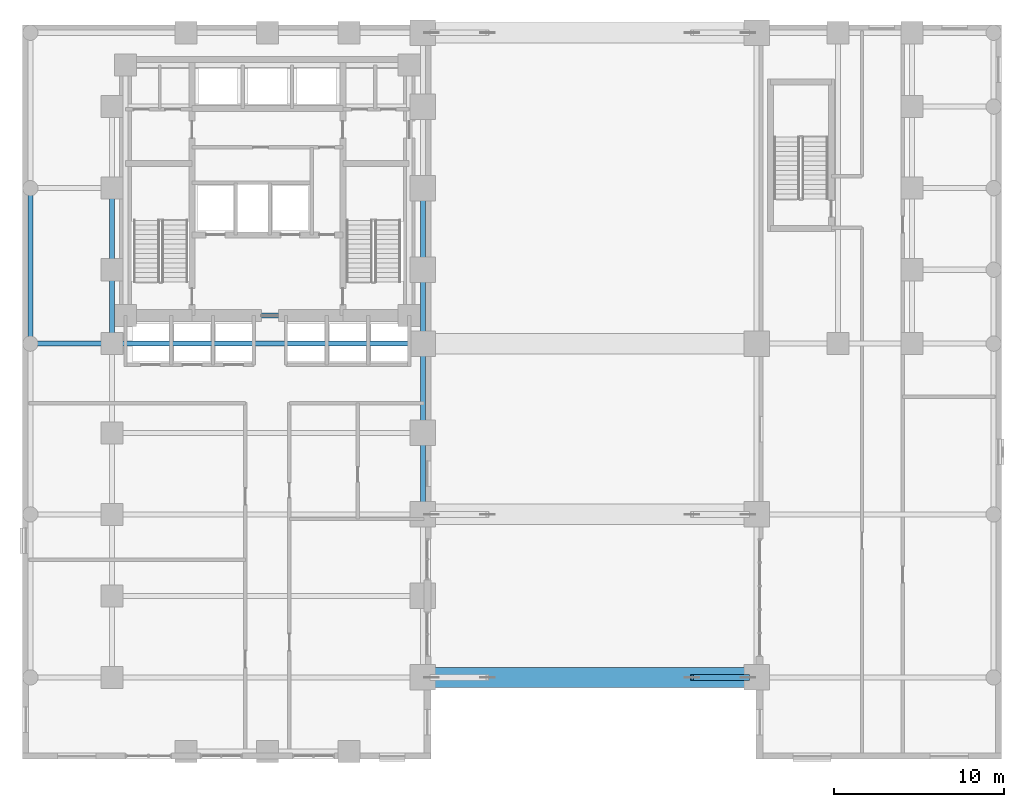
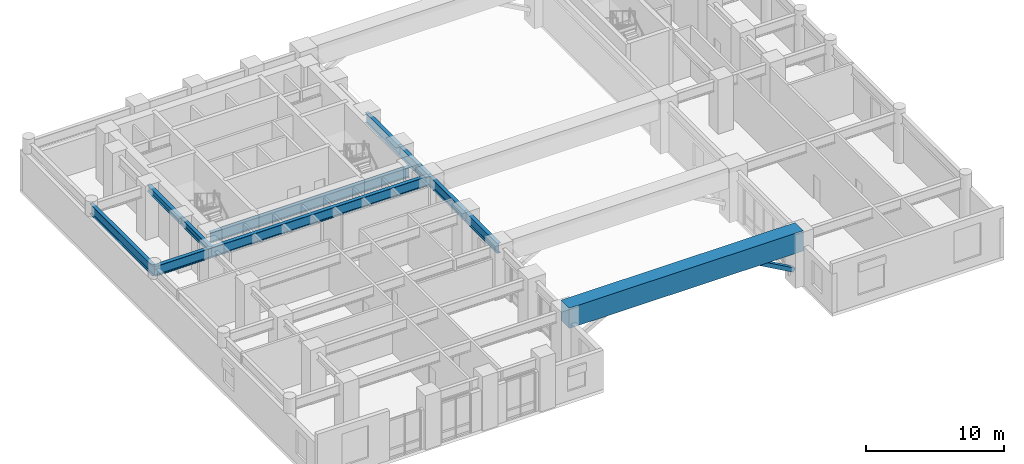
# One storey, part 3 of 12: 11 beams, 1 member.
"""IFC4 building model written with IfcOpenShell, lengths in metres."""

from ifc_helpers import new_model, si_unit, direction, frame, origin, origin_2d, place, context, subcontext, project, spatial, rectangle, hollow_rectangle, i_section, extrude, material, material_profile, profile_set, type_object, element, save


model = new_model("IFC4")

# Units and contexts
model_context = context("Model", 3, precision=1e-05, world=origin(), true_north=direction((0.0, 1.0)))
body_context = subcontext(model_context, "Body", "Model", "MODEL_VIEW")
ifc_project = project(units=[si_unit("LENGTHUNIT", "METRE"), si_unit("AREAUNIT", "SQUARE_METRE"), si_unit("VOLUMEUNIT", "CUBIC_METRE"), si_unit("PLANEANGLEUNIT", "RADIAN"), si_unit("MASSUNIT", "GRAM", prefix="KILO")], contexts=[model_context])

# Site, building, storey
site_placement = place(None, origin())
site = spatial("IfcSite", under=ifc_project, at=site_placement, CompositionType="ELEMENT")
building_placement = place(site_placement, origin())
building = spatial("IfcBuilding", under=site, at=building_placement, Name="Orvandelia Arch Residences", CompositionType="ELEMENT")
storey_placement = place(building_placement, frame((0.0, 0.0, 10.0)))
storey = spatial("IfcBuildingStorey", under=building, at=storey_placement, Name="L02", CompositionType="ELEMENT", Elevation=10.0)

# Beams
ifc_material_1 = material(Name="Structural Steel HSA650 (650 MPa)", Category="steel")
ifc_material_profile_1 = material_profile(ifc_material_1, i_section(OverallWidth=0.300048828125, OverallDepth=0.89990234375, WebThickness=0.01611328125, FlangeThickness=0.028076171875, FilletRadius=0.028076171875, at=origin_2d()), Name="Structural Steel HSA650 (650 MPa)", Category="steel")
ifc_profile_set_1 = profile_set([ifc_material_profile_1], Name="Structural Steel HSA650 (650 MPa)")
beam_type_1 = type_object("IfcBeamType", Name="BM-GRD-H900", PredefinedType="BEAM", material=ifc_profile_set_1)
beam_1_placement = place(storey_placement, frame((0.449951171875, 29.25, 3.949951171875), z_axis=(0.0, 1.0, 0.0), x_axis=(-1.0, 0.0, 0.0)))
element("IfcBeam", 1, at=beam_1_placement, inside=storey, type_object=beam_type_1, Name="Structural Frame Beam L02-NS-003", PredefinedType="BEAM", context=body_context, shape_type="SweptSolid", body=[
    extrude(i_section(OverallWidth=0.300048828125, OverallDepth=0.89990234375, WebThickness=0.01611328125, FlangeThickness=0.028076171875, FilletRadius=0.028076171875, at=origin_2d()), origin(), (0.0, 0.0, 1.0), 9.14990234375),
])
beam_2_placement = place(storey_placement, frame((23.550048828125, 19.199951171875, 3.949951171875), z_axis=(0.0, 1.0, 0.0), x_axis=(-1.0, 0.0, 0.0)))
element("IfcBeam", 2, at=beam_2_placement, inside=storey, type_object=beam_type_1, Name="Structural Frame Beam L02-NS-016", PredefinedType="BEAM", context=body_context, shape_type="SweptSolid", body=[
    extrude(i_section(OverallWidth=0.300048828125, OverallDepth=0.89990234375, WebThickness=0.01611328125, FlangeThickness=0.028076171875, FilletRadius=0.028076171875, at=origin_2d()), origin(), (0.0, 0.0, 1.0), 4.800048828125),
])
beam_3_placement = place(storey_placement, frame((23.550048828125, 24.0, 3.949951171875), z_axis=(0.0, 1.0, 0.0), x_axis=(-1.0, 0.0, 0.0)))
element("IfcBeam", 3, at=beam_3_placement, inside=storey, type_object=beam_type_1, Name="Structural Frame Beam L02-NS-017", PredefinedType="BEAM", context=body_context, shape_type="SweptSolid", body=[
    extrude(i_section(OverallWidth=0.300048828125, OverallDepth=0.89990234375, WebThickness=0.01611328125, FlangeThickness=0.028076171875, FilletRadius=0.028076171875, at=origin_2d()), origin(), (0.0, 0.0, 1.0), 5.25),
])
beam_4_placement = place(storey_placement, frame((23.550048828125, 29.25, 3.949951171875), z_axis=(0.0, 1.0, 0.0), x_axis=(-1.0, 0.0, 0.0)))
element("IfcBeam", 4, at=beam_4_placement, inside=storey, type_object=beam_type_1, Name="Structural Frame Beam L02-NS-018", PredefinedType="BEAM", context=body_context, shape_type="SweptSolid", body=[
    extrude(i_section(OverallWidth=0.300048828125, OverallDepth=0.89990234375, WebThickness=0.01611328125, FlangeThickness=0.028076171875, FilletRadius=0.028076171875, at=origin_2d()), origin(), (0.0, 0.0, 1.0), 4.35009765625),
])
beam_5_placement = place(storey_placement, frame((23.550048828125, 33.60009765625, 3.949951171875), z_axis=(0.0, 1.0, 0.0), x_axis=(-1.0, 0.0, 0.0)))
element("IfcBeam", 5, at=beam_5_placement, inside=storey, type_object=beam_type_1, Name="Structural Frame Beam L02-NS-019", PredefinedType="BEAM", context=body_context, shape_type="SweptSolid", body=[
    extrude(i_section(OverallWidth=0.300048828125, OverallDepth=0.89990234375, WebThickness=0.01611328125, FlangeThickness=0.028076171875, FilletRadius=0.028076171875, at=origin_2d()), origin(), (0.0, 0.0, 1.0), 4.7998046875),
])
beam_6_placement = place(storey_placement, frame((0.449951171875, 29.25, 3.949951171875), z_axis=(1.0, 0.0, 0.0), x_axis=(0.0, 1.0, 0.0)))
element("IfcBeam", 6, at=beam_6_placement, inside=storey, type_object=beam_type_1, Name="Structural Frame Girder L02-EW-046", PredefinedType="BEAM", context=body_context, shape_type="SweptSolid", body=[
    extrude(i_section(OverallWidth=0.300048828125, OverallDepth=0.89990234375, WebThickness=0.01611328125, FlangeThickness=0.028076171875, FilletRadius=0.028076171875, at=origin_2d()), origin(), (0.0, 0.0, 1.0), 4.800048828125),
])
beam_7_placement = place(storey_placement, frame((5.25, 29.25, 3.949951171875), z_axis=(1.0, 0.0, 0.0), x_axis=(0.0, 1.0, 0.0)))
element("IfcBeam", 7, at=beam_7_placement, inside=storey, type_object=beam_type_1, Name="Structural Frame Girder L02-EW-047", PredefinedType="BEAM", context=body_context, shape_type="SweptSolid", body=[
    extrude(i_section(OverallWidth=0.300048828125, OverallDepth=0.89990234375, WebThickness=0.01611328125, FlangeThickness=0.028076171875, FilletRadius=0.028076171875, at=origin_2d()), origin(), (0.0, 0.0, 1.0), 18.300048828125),
])
beam_8_placement = place(storey_placement, frame((6.050048828125, 30.89990234375, 3.949951171875), z_axis=(1.0, 0.0, 0.0), x_axis=(0.0, 1.0, 0.0)))
element("IfcBeam", 8, at=beam_8_placement, inside=storey, type_object=beam_type_1, Name="Structural Frame Girder L02-EW-051", PredefinedType="BEAM", context=body_context, shape_type="SweptSolid", body=[
    extrude(i_section(OverallWidth=0.300048828125, OverallDepth=0.89990234375, WebThickness=0.01611328125, FlangeThickness=0.028076171875, FilletRadius=0.028076171875, at=origin_2d()), origin(), (0.0, 0.0, 1.0), 16.699951171875),
])
ifc_material_2 = material(Name="Structural Steel SM355 (355 MPa)", Category="steel")
ifc_material_profile_2 = material_profile(ifc_material_2, i_section(OverallWidth=0.300048828125, OverallDepth=0.587890625, WebThickness=0.011962890625, FlangeThickness=0.02001953125, FilletRadius=0.02197265625, at=origin_2d()), Name="Structural Steel SM355 (355 MPa)", Category="steel")
ifc_profile_set_2 = profile_set([ifc_material_profile_2], Name="Structural Steel SM355 (355 MPa)")
beam_type_2 = type_object("IfcBeamType", Name="BM-SPN-H588", PredefinedType="SPANDREL", material=ifc_profile_set_2)
beam_9_placement = place(storey_placement, frame((5.25, 29.25, 4.10595703125), z_axis=(0.0, 1.0, 0.0), x_axis=(-1.0, 0.0, 0.0)))
element("IfcBeam", 9, at=beam_9_placement, inside=storey, type_object=beam_type_2, Name="Structural Frame Beam L02-NS-009", PredefinedType="SPANDREL", context=body_context, shape_type="SweptSolid", body=[
    extrude(i_section(OverallWidth=0.300048828125, OverallDepth=0.587890625, WebThickness=0.011962890625, FlangeThickness=0.02001953125, FilletRadius=0.02197265625, at=origin_2d()), origin(), (0.0, 0.0, 1.0), 4.35009765625),
])
beam_10_placement = place(storey_placement, frame((5.25, 33.60009765625, 4.10595703125), z_axis=(0.0, 1.0, 0.0), x_axis=(-1.0, 0.0, 0.0)))
element("IfcBeam", 10, at=beam_10_placement, inside=storey, type_object=beam_type_2, Name="Structural Frame Beam L02-NS-010", PredefinedType="SPANDREL", context=body_context, shape_type="SweptSolid", body=[
    extrude(i_section(OverallWidth=0.300048828125, OverallDepth=0.587890625, WebThickness=0.011962890625, FlangeThickness=0.02001953125, FilletRadius=0.02197265625, at=origin_2d()), origin(), (0.0, 0.0, 1.0), 4.7998046875),
])

# Member
ifc_material_profile_3 = material_profile(ifc_material_2, hollow_rectangle(XDim=0.35009765625, YDim=0.35009765625, WallThickness=0.01904296875, at=origin_2d()), Name="Structural Steel SM355 (355 MPa)", Category="steel")
ifc_profile_set_3 = profile_set([ifc_material_profile_3], Name="Structural Steel SM355 (355 MPa)")
member_type = type_object("IfcMemberType", Name="MBR-ARCH-RIB", PredefinedType="STRUT", material=ifc_profile_set_3)
member_placement = place(storey_placement, frame((42.699951171875, 9.60009765625, 1.199951171875), z_axis=(-0.872272628353, 0.0, 0.489019899213), x_axis=(0.0, -1.0, 0.0)))
element("IfcMember", 11, at=member_placement, inside=storey, type_object=member_type, Name="Giant Street Arch East Springer Haunch SOUTH", PredefinedType="STRUT", context=body_context, shape_type="SweptSolid", body=[
    extrude(hollow_rectangle(XDim=0.35009765625, YDim=0.35009765625, WallThickness=0.01904296875, at=origin_2d()), origin(), (0.0, 0.0, 1.0), 3.783203125),
])

# Beam
ifc_material_3 = material(Name="Concrete C80/95", Category="concrete")
ifc_material_profile_4 = material_profile(ifc_material_3, rectangle(XDim=1.199951171875, YDim=1.800048828125, at=origin_2d()), Name="Concrete C80/95", Category="concrete")
ifc_profile_set_4 = profile_set([ifc_material_profile_4], Name="Concrete C80/95")
beam_type_3 = type_object("IfcBeamType", Name="TG-ARCH-1200x1800", PredefinedType="USERDEFINED", material=ifc_profile_set_4)
beam_11_placement = place(storey_placement, frame((23.550048828125, 9.60009765625, 3.89990234375), z_axis=(1.0, 0.0, 0.0), x_axis=(0.0, 1.0, 0.0)))
element("IfcBeam", 12, at=beam_11_placement, inside=storey, type_object=beam_type_3, Name="Arch Coupled Transfer Girder L02", ObjectType="TRANSFER GIRDER", PredefinedType="USERDEFINED", context=body_context, shape_type="SweptSolid", body=[
    extrude(rectangle(XDim=1.199951171875, YDim=1.800048828125, at=origin_2d()), origin(), (0.0, 0.0, 1.0), 19.64990234375),
])

save(model, "model.ifc")
